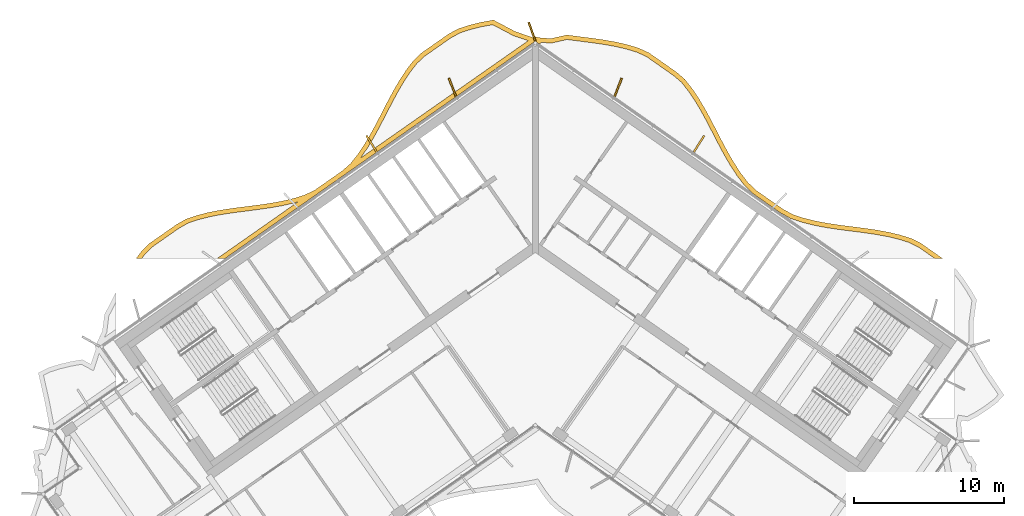
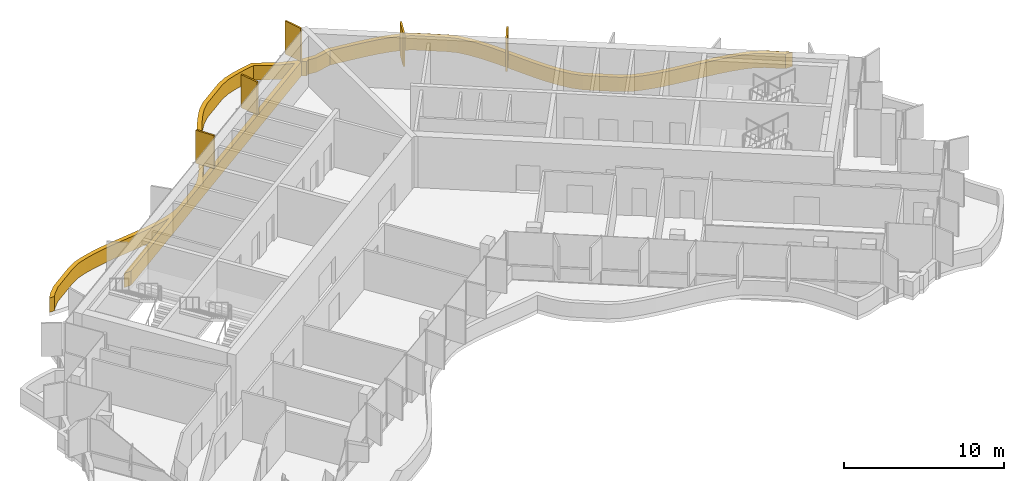
# One storey, part 17 of 17: 6 shading devices.
"""IFC4 building model written with IfcOpenShell, lengths in metres."""

from ifc_helpers import new_model, si_unit, direction, frame, origin, origin_2d, place, context, subcontext, project, spatial, polyline, rectangle, outline, extrude, material, layer, layer_set, type_object, element, save


model = new_model("IFC4")

# Units and contexts
model_context = context("Model", 3, precision=1e-05, world=origin(), true_north=direction((0.0, 1.0)))
body_context = subcontext(model_context, "Body", "Model", "MODEL_VIEW")
ifc_project = project(units=[si_unit("LENGTHUNIT", "METRE"), si_unit("AREAUNIT", "SQUARE_METRE"), si_unit("VOLUMEUNIT", "CUBIC_METRE"), si_unit("PLANEANGLEUNIT", "RADIAN"), si_unit("MASSUNIT", "GRAM", prefix="KILO")], contexts=[model_context])

# Site, building, storey
site_placement = place(None, origin())
site = spatial("IfcSite", under=ifc_project, at=site_placement, CompositionType="ELEMENT")
building_placement = place(site_placement, origin())
building = spatial("IfcBuilding", under=site, at=building_placement, Name="Tel Ilan Convention Tower", CompositionType="ELEMENT")
storey_placement = place(building_placement, frame((0.0, 0.0, 283.89990234375)))
storey = spatial("IfcBuildingStorey", under=building, at=storey_placement, Name="L67", CompositionType="ELEMENT", Elevation=283.89990234375)

# Shading devices
ifc_material_1 = material(Name="Aluminium, bronze anodised", Category="aluminium")
ifc_layer_1 = layer(ifc_material_1, 0.1201171875)
ifc_layer_set_1 = layer_set([ifc_layer_1], Name="FIN BRONZE 1300x120")
shading_device_type_1 = type_object("IfcShadingDeviceType", Name="FIN BRONZE 1300x120", PredefinedType="USERDEFINED", material=ifc_layer_set_1)
for number, where, z_axis, x_axis, name in (
    (1, (10.87841796875, 5.99658203125, 1.10009765625), (0.0, 0.0, 1.0), (0.533204432798, 0.845986425922, 0.0), "FIN"),
    (2, (5.50732421875, 9.7490234375, 1.10009765625), (0.0, 0.0, 1.0), (0.360177724803, 0.932883704733, 0.0), "FIN"),
    (3, (-0.21630859375, 13.450439453125, 1.10009765625), (0.0, 0.0, 1.0), (-0.332892691468, 0.942964716183, 0.0), "FIN"),
    (4, (-5.50732421875, 9.7490234375, 1.10009765625), (0.0, 0.0, 1.0), (-0.360177724803, 0.932883704733, 0.0), "FIN"),
    (5, (-10.87841796875, 5.99658203125, 1.10009765625), (0.0, 0.0, 1.0), (-0.533204432798, 0.845986425922, 0.0), "FIN"),
):
    element("IfcShadingDevice", number, at=place(storey_placement, frame(where, z_axis=z_axis, x_axis=x_axis)), inside=storey, type_object=shading_device_type_1, Name=name, ObjectType="FIN", PredefinedType="USERDEFINED", context=body_context, shape_type="SweptSolid", body=[
        extrude(rectangle(XDim=1.300048828125, YDim=0.1201171875, at=origin_2d()), origin(), (0.0, 0.0, 1.0), 2.52001953125),
    ])
ifc_material_2 = material(Name="Aluminium, bronze anodised", Category="aluminium")
ifc_layer_2 = layer(ifc_material_2, 0.300048828125)
ifc_layer_set_2 = layer_set([ifc_layer_2], Name="LOUVRE BAND 300x1100")
shading_device_type_2 = type_object("IfcShadingDeviceType", Name="LOUVRE BAND 300x1100", PredefinedType="USERDEFINED", material=ifc_layer_set_2)
shading_device_placement = place(storey_placement, origin())
element("IfcShadingDevice", 6, at=shading_device_placement, inside=storey, type_object=shading_device_type_2, Name="LOUVRE BAND 50.02", ObjectType="LOUVRE", PredefinedType="USERDEFINED", context=body_context, shape_type="SweptSolid", body=[
    extrude(outline(polyline([(-26.1787109375, -1.1572265625), (-26.535888671875, -1.631591796875), (-26.160400390625, -1.631591796875), (-25.951416015625, -1.35400390625), (-25.457275390625, -0.856689453125), (-23.680908203125, 0.38720703125), (-23.075439453125, 0.7314453125), (-22.38525390625, 0.962158203125), (-21.640625, 1.14990234375), (-20.86181640625, 1.298828125), (-20.0576171875, 1.420166015625), (-18.409423828125, 1.63232421875), (-17.585205078125, 1.750732421875), (-16.773193359375, 1.89599609375), (-15.982666015625, 2.081298828125), (-15.75634765625, 2.151611328125), (-21.159423828125, -1.631591796875), (-20.63623046875, -1.631591796875), (0.0, 12.818115234375), (0.261474609375, 12.635009765625), (0.4140625, 12.741943359375), (1.040771484375, 12.687744140625), (2.10400390625, 12.9296875), (3.699462890625, 12.72509765625), (4.510009765625, 12.60986328125), (5.2978515625, 12.47119140625), (6.054443359375, 12.297119140625), (6.765625, 12.080078125), (7.40185546875, 11.785888671875), (9.17822265625, 10.5419921875), (9.708740234375, 10.0908203125), (10.16162109375, 9.521240234375), (10.5927734375, 8.885498046875), (10.9990234375, 8.204833984375), (11.38818359375, 7.49072265625), (12.151123046875, 6.014404296875), (12.54443359375, 5.2802734375), (12.958740234375, 4.567138671875), (13.403076171875, 3.8876953125), (13.891357421875, 3.245849609375), (14.459716796875, 2.693359375), (16.302978515625, 1.40283203125), (16.991455078125, 1.02587890625), (17.759521484375, 0.773681640625), (18.544921875, 0.579345703125), (19.353271484375, 0.42724609375), (20.176025390625, 0.3046875), (21.826416015625, 0.092529296875), (22.634765625, -0.025146484375), (23.4189453125, -0.167724609375), (24.1708984375, -0.34716796875), (24.873291015625, -0.569580078125), (25.496826171875, -0.88427734375), (26.56396484375, -1.631591796875), (27.087158203125, -1.631591796875), (25.6513671875, -0.626220703125), (24.987060546875, -0.290771484375), (24.2509765625, -0.057861328125), (23.480712890625, 0.1259765625), (22.68310546875, 0.27099609375), (21.8671875, 0.3896484375), (20.21728515625, 0.601806640625), (19.4033203125, 0.72314453125), (18.60888671875, 0.87255859375), (17.842529296875, 1.062255859375), (17.111328125, 1.30224609375), (16.46142578125, 1.657958984375), (14.6513671875, 2.92529296875), (14.116455078125, 3.4453125), (13.648193359375, 4.060791015625), (13.214111328125, 4.724609375), (12.806396484375, 5.426513671875), (12.416748046875, 6.154052734375), (11.653076171875, 7.631591796875), (11.259521484375, 8.353515625), (10.845947265625, 9.046875), (10.403564453125, 9.69921875), (9.925537109375, 10.300537109375), (9.36181640625, 10.77978515625), (7.552001953125, 12.047119140625), (6.872802734375, 12.361083984375), (6.132080078125, 12.587158203125), (5.357666015625, 12.765380859375), (4.55712890625, 12.90625), (3.739501953125, 13.0224609375), (2.08935546875, 13.234130859375), (1.02001953125, 12.99072265625), (0.168701171875, 13.059326171875), (0.11474609375, 13.09521484375), (0.0, 13.1181640625), (-0.11474609375, 13.09521484375), (-0.168701171875, 13.059326171875), (-1.357666015625, 13.472900390625), (-2.785888671875, 14.228515625), (-3.5830078125, 14.083251953125), (-4.3515625, 13.896484375), (-5.0849609375, 13.66015625), (-5.7421875, 13.314453125), (-7.552001953125, 12.047119140625), (-8.09423828125, 11.53759765625), (-8.56494140625, 10.925537109375), (-9.001220703125, 10.264404296875), (-9.410400390625, 9.564697265625), (-9.801025390625, 8.838623046875), (-10.564453125, 7.36083984375), (-10.95703125, 6.63720703125), (-11.369140625, 5.94189453125), (-11.809326171875, 5.28662109375), (-12.284912109375, 4.681640625), (-12.841552734375, 4.192626953125), (-14.6513671875, 2.92529296875), (-15.3232421875, 2.6005859375), (-16.0615234375, 2.370849609375), (-16.833984375, 2.18994140625), (-17.6328125, 2.046875), (-18.44970703125, 1.9296875), (-20.099365234375, 1.71728515625), (-20.91259765625, 1.594482421875), (-21.705322265625, 1.44287109375), (-22.4697265625, 1.250244140625), (-23.1982421875, 1.0068359375), (-23.84130859375, 0.64111328125), (-25.6513671875, -0.626220703125), (-26.1787109375, -1.1572265625)]), holes=[polyline([(-11.609619140625, 5.05517578125), (-11.115234375, 5.78173828125), (-10.696044921875, 6.4892578125), (-10.29931640625, 7.220458984375), (-9.535400390625, 8.69873046875), (-9.148681640625, 9.41796875), (-8.746337890625, 10.106201171875), (-8.320556640625, 10.751220703125), (-7.871337890625, 11.33544921875), (-7.3623046875, 11.813720703125), (-5.585693359375, 13.0576171875), (-4.96826171875, 13.382568359375), (-4.27001953125, 13.607666015625), (-3.520751953125, 13.78955078125), (-2.834228515625, 13.914794921875), (-1.477294921875, 13.19677734375), (-0.4755859375, 12.851318359375), (-11.609619140625, 5.05517578125)])]), origin(), (0.0, 0.0, 1.0), 1.10009765625),
])

save(model, "model.ifc")
